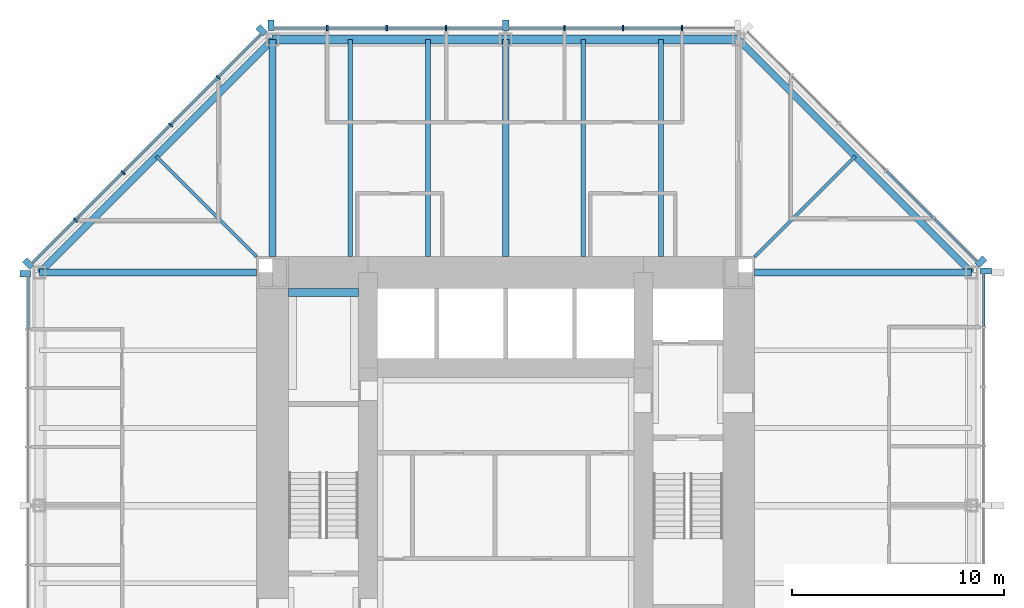
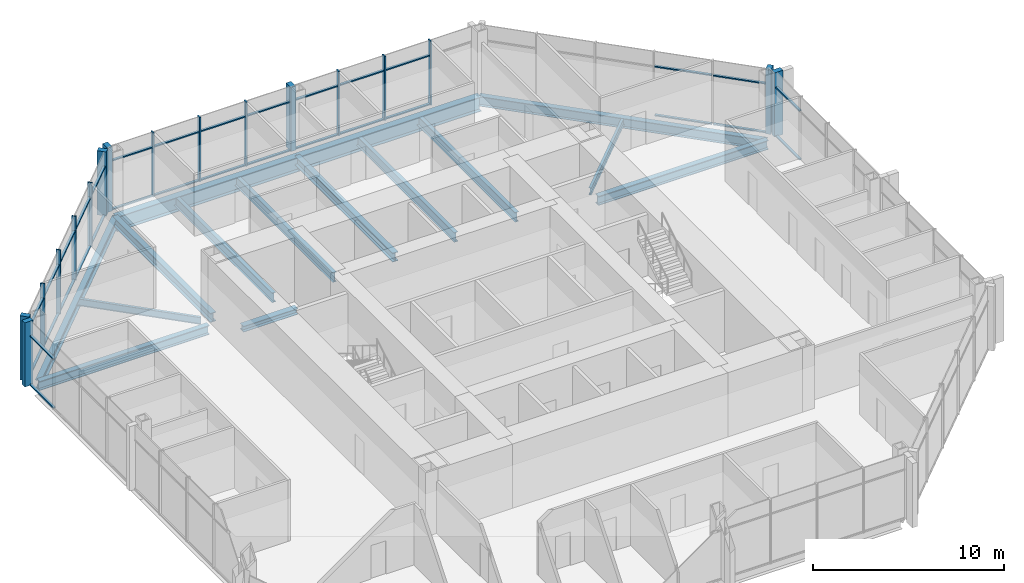
# One storey, part 5 of 12: 49 members, 15 beams, 5 elements without a shape of their own.
"""IFC4 building model written with IfcOpenShell, lengths in metres."""

from ifc_helpers import new_model, si_unit, direction, frame, origin, origin_2d, place, context, subcontext, project, spatial, rectangle, i_section, extrude, material, material_profile, profile_set, type_object, element, aggregate, save


model = new_model("IFC4")

# Units and contexts
model_context = context("Model", 3, precision=1e-05, world=origin(), true_north=direction((0.0, 1.0)))
body_context = subcontext(model_context, "Body", "Model", "MODEL_VIEW")
ifc_project = project(units=[si_unit("LENGTHUNIT", "METRE"), si_unit("AREAUNIT", "SQUARE_METRE"), si_unit("VOLUMEUNIT", "CUBIC_METRE"), si_unit("PLANEANGLEUNIT", "RADIAN"), si_unit("MASSUNIT", "GRAM", prefix="KILO")], contexts=[model_context])

# Site, building, storey
site_placement = place(None, origin())
site = spatial("IfcSite", under=ifc_project, at=site_placement, CompositionType="ELEMENT")
building_placement = place(site_placement, origin())
building = spatial("IfcBuilding", under=site, at=building_placement, Name="Trevanion Tower", CompositionType="ELEMENT")
storey_placement = place(building_placement, frame((0.0, 0.0, 166.39990234375)))
storey = spatial("IfcBuildingStorey", under=building, at=storey_placement, Name="L39", CompositionType="ELEMENT", Elevation=166.39990234375)

# Beams
ifc_material_1 = material(Name="Steel ASTM A992 Grade 50", Category="steel")
ifc_material_profile_1 = material_profile(ifc_material_1, i_section(OverallWidth=0.22900390625, OverallDepth=0.612060546875, WebThickness=0.011962890625, FlangeThickness=0.01953125, at=origin_2d()), Name="W24X84")
ifc_profile_set_1 = profile_set([ifc_material_profile_1], Name="Steel ASTM A992 Grade 50")
beam_type_1 = type_object("IfcBeamType", Name="B7 W24X84", PredefinedType="BEAM", material=ifc_profile_set_1)
for number, where, z_axis, x_axis, name in (
    (1, (7.333251953125, 11.75, -0.49609375), (0.0, 1.0, 0.0), (-1.0, 0.0, 0.0), "B7 L39"),
    (2, (3.666748046875, 11.75, -0.49609375), (0.0, 1.0, 0.0), (-1.0, 0.0, 0.0), "B7 L39"),
    (3, (-3.666748046875, 11.75, -0.49609375), (0.0, 1.0, 0.0), (-1.0, 0.0, 0.0), "B7 L39"),
    (4, (-7.333251953125, 11.75, -0.49609375), (0.0, 1.0, 0.0), (-1.0, 0.0, 0.0), "B7 L39"),
):
    element("IfcBeam", number, at=place(storey_placement, frame(where, z_axis=z_axis, x_axis=x_axis)), inside=storey, type_object=beam_type_1, Name=name, PredefinedType="BEAM", context=body_context, shape_type="SweptSolid", body=[
        extrude(i_section(OverallWidth=0.22900390625, OverallDepth=0.612060546875, WebThickness=0.011962890625, FlangeThickness=0.01953125, at=origin_2d()), origin(), (0.0, 0.0, 1.0), 10.25),
    ])
ifc_material_2 = material(Name="Steel ASTM A992 Grade 50", Category="steel")
ifc_material_profile_2 = material_profile(ifc_material_2, i_section(OverallWidth=0.15234375, OverallDepth=0.449462890625, WebThickness=0.007568359375, FlangeThickness=0.0107421875, at=origin_2d()), Name="W18X35")
ifc_profile_set_2 = profile_set([ifc_material_profile_2], Name="Steel ASTM A992 Grade 50")
beam_type_2 = type_object("IfcBeamType", Name="B8 W18X35", PredefinedType="BEAM", material=ifc_profile_set_2)
for number, where, z_axis, x_axis, name in (
    (5, (11.75, 11.75, -0.414794921875), (0.707106781187, 0.707106781187, 0.0), (-0.707106781187, 0.707106781187, 0.0), "B8 L39"),
    (6, (-11.75, 11.75, -0.414794921875), (-0.707106781187, 0.707106781187, 0.0), (-0.707106781187, -0.707106781187, 0.0), "B8 L39"),
):
    element("IfcBeam", number, at=place(storey_placement, frame(where, z_axis=z_axis, x_axis=x_axis)), inside=storey, type_object=beam_type_2, Name=name, PredefinedType="BEAM", context=body_context, shape_type="SweptSolid", body=[
        extrude(i_section(OverallWidth=0.15234375, OverallDepth=0.449462890625, WebThickness=0.007568359375, FlangeThickness=0.0107421875, at=origin_2d()), origin(), (0.0, 0.0, 1.0), 6.717529296875),
    ])

# Curtain wall, members
ifc_material_3 = material(Name="Aluminium and glass", Category="aluminium")
curtain_wall_type = type_object("IfcCurtainWallType", Name="CW2 curtain wall", PredefinedType="USERDEFINED", material=ifc_material_3)
curtain_wall_1_placement = place(storey_placement, origin())
curtain_wall_1 = element("IfcCurtainWall", 7, at=curtain_wall_1_placement, inside=storey, type_object=curtain_wall_type, Name="CW2 L39 2", ObjectType="UNITISED CURTAIN WALL", PredefinedType="USERDEFINED")
ifc_material_4 = material(Name="Aluminium extrusion, anodised bronze", Category="aluminium")
ifc_material_profile_3 = material_profile(ifc_material_4, rectangle(XDim=0.074951171875, YDim=0.25, at=origin_2d()), Name="CW2 mullion")
ifc_profile_set_3 = profile_set([ifc_material_profile_3], Name="Aluminium extrusion, anodised bronze")
member_type_1 = type_object("IfcMemberType", Name="CW2 mullion", PredefinedType="MULLION", material=ifc_profile_set_3)
member_1_placement = place(storey_placement, frame((8.323486328125, 22.550048828125, -0.18994140625), z_axis=(0.0, 0.0, 1.0), x_axis=(-1.0, 0.0, 0.0)))
member_1 = element("IfcMember", 8, at=member_1_placement, type_object=member_type_1, Name="CW2 mullion 2", PredefinedType="MULLION", context=body_context, shape_type="SweptSolid", body=[
    extrude(rectangle(XDim=0.074951171875, YDim=0.25, at=origin_2d()), origin(), (0.0, 0.0, 1.0), 4.10009765625),
])
member_2_placement = place(storey_placement, frame((5.548828125, 22.550048828125, -0.18994140625), z_axis=(0.0, 0.0, 1.0), x_axis=(-1.0, 0.0, 0.0)))
member_2 = element("IfcMember", 9, at=member_2_placement, type_object=member_type_1, Name="CW2 mullion 3", PredefinedType="MULLION", context=body_context, shape_type="SweptSolid", body=[
    extrude(rectangle(XDim=0.074951171875, YDim=0.25, at=origin_2d()), origin(), (0.0, 0.0, 1.0), 4.10009765625),
])
member_3_placement = place(storey_placement, frame((2.7744140625, 22.550048828125, -0.18994140625), z_axis=(0.0, 0.0, 1.0), x_axis=(-1.0, 0.0, 0.0)))
member_3 = element("IfcMember", 10, at=member_3_placement, type_object=member_type_1, Name="CW2 mullion 4", PredefinedType="MULLION", context=body_context, shape_type="SweptSolid", body=[
    extrude(rectangle(XDim=0.074951171875, YDim=0.25, at=origin_2d()), origin(), (0.0, 0.0, 1.0), 4.10009765625),
])
member_4_placement = place(storey_placement, frame((-2.806884765625, 22.550048828125, -0.18994140625), z_axis=(0.0, 0.0, 1.0), x_axis=(-1.0, 0.0, 0.0)))
member_4 = element("IfcMember", 11, at=member_4_placement, type_object=member_type_1, Name="CW2 mullion 6", PredefinedType="MULLION", context=body_context, shape_type="SweptSolid", body=[
    extrude(rectangle(XDim=0.074951171875, YDim=0.25, at=origin_2d()), origin(), (0.0, 0.0, 1.0), 4.10009765625),
])
member_5_placement = place(storey_placement, frame((-5.614013671875, 22.550048828125, -0.18994140625), z_axis=(0.0, 0.0, 1.0), x_axis=(-1.0, 0.0, 0.0)))
member_5 = element("IfcMember", 12, at=member_5_placement, type_object=member_type_1, Name="CW2 mullion 7", PredefinedType="MULLION", context=body_context, shape_type="SweptSolid", body=[
    extrude(rectangle(XDim=0.074951171875, YDim=0.25, at=origin_2d()), origin(), (0.0, 0.0, 1.0), 4.10009765625),
])
member_6_placement = place(storey_placement, frame((-8.4208984375, 22.550048828125, -0.18994140625), z_axis=(0.0, 0.0, 1.0), x_axis=(-1.0, 0.0, 0.0)))
member_6 = element("IfcMember", 13, at=member_6_placement, type_object=member_type_1, Name="CW2 mullion 8", PredefinedType="MULLION", context=body_context, shape_type="SweptSolid", body=[
    extrude(rectangle(XDim=0.074951171875, YDim=0.25, at=origin_2d()), origin(), (0.0, 0.0, 1.0), 4.10009765625),
])

curtain_wall_2_placement = place(storey_placement, origin())
curtain_wall_2 = element("IfcCurtainWall", 14, at=curtain_wall_2_placement, inside=storey, type_object=curtain_wall_type, Name="CW2 L39 3", ObjectType="UNITISED CURTAIN WALL", PredefinedType="USERDEFINED")
member_7_placement = place(storey_placement, frame((-13.56591796875, 20.2119140625, -0.18994140625), z_axis=(0.0, 0.0, 1.0), x_axis=(-0.707106781187, -0.707106781187, 0.0)))
member_7 = element("IfcMember", 15, at=member_7_placement, type_object=member_type_1, Name="CW2 mullion 2", PredefinedType="MULLION", context=body_context, shape_type="SweptSolid", body=[
    extrude(rectangle(XDim=0.074951171875, YDim=0.25, at=origin_2d()), origin(), (0.0, 0.0, 1.0), 4.10009765625),
])
member_8_placement = place(storey_placement, frame((-15.811767578125, 17.966064453125, -0.18994140625), z_axis=(0.0, 0.0, 1.0), x_axis=(-0.707106781187, -0.707106781187, 0.0)))
member_8 = element("IfcMember", 16, at=member_8_placement, type_object=member_type_1, Name="CW2 mullion 3", PredefinedType="MULLION", context=body_context, shape_type="SweptSolid", body=[
    extrude(rectangle(XDim=0.074951171875, YDim=0.25, at=origin_2d()), origin(), (0.0, 0.0, 1.0), 4.10009765625),
])
member_9_placement = place(storey_placement, frame((-18.057861328125, 15.719970703125, -0.18994140625), z_axis=(0.0, 0.0, 1.0), x_axis=(-0.707106781187, -0.707106781187, 0.0)))
member_9 = element("IfcMember", 17, at=member_9_placement, type_object=member_type_1, Name="CW2 mullion 4", PredefinedType="MULLION", context=body_context, shape_type="SweptSolid", body=[
    extrude(rectangle(XDim=0.074951171875, YDim=0.25, at=origin_2d()), origin(), (0.0, 0.0, 1.0), 4.10009765625),
])
member_10_placement = place(storey_placement, frame((-20.303955078125, 13.473876953125, -0.18994140625), z_axis=(0.0, 0.0, 1.0), x_axis=(-0.707106781187, -0.707106781187, 0.0)))
member_10 = element("IfcMember", 18, at=member_10_placement, type_object=member_type_1, Name="CW2 mullion 5", PredefinedType="MULLION", context=body_context, shape_type="SweptSolid", body=[
    extrude(rectangle(XDim=0.074951171875, YDim=0.25, at=origin_2d()), origin(), (0.0, 0.0, 1.0), 4.10009765625),
])

# Curtain wall, member
curtain_wall_3_placement = place(storey_placement, origin())
curtain_wall_3 = element("IfcCurtainWall", 19, at=curtain_wall_3_placement, inside=storey, type_object=curtain_wall_type, Name="CW2 L39 0", ObjectType="UNITISED CURTAIN WALL", PredefinedType="USERDEFINED")
ifc_material_5 = material(Name="Aluminium extrusion, anodised bronze", Category="aluminium")
ifc_material_profile_4 = material_profile(ifc_material_5, rectangle(XDim=0.300048828125, YDim=0.5, at=origin_2d()), Name="CW2 pier mullion")
ifc_profile_set_4 = profile_set([ifc_material_profile_4], Name="Aluminium extrusion, anodised bronze")
member_type_2 = type_object("IfcMemberType", Name="CW2 pier mullion", PredefinedType="MULLION", material=ifc_profile_set_4)
member_11_placement = place(storey_placement, frame((22.675048828125, 11.077880859375, -0.18994140625), z_axis=(0.0, 0.0, 1.0), x_axis=(0.0, 1.0, 0.0)))
member_11 = element("IfcMember", 20, at=member_11_placement, type_object=member_type_2, Name="CW2 pier mullion 9", PredefinedType="MULLION", context=body_context, shape_type="SweptSolid", body=[
    extrude(rectangle(XDim=0.300048828125, YDim=0.5, at=origin_2d()), origin(), (0.0, 0.0, 1.0), 4.10009765625),
])

curtain_wall_4_placement = place(storey_placement, origin())
curtain_wall_4 = element("IfcCurtainWall", 21, at=curtain_wall_4_placement, inside=storey, type_object=curtain_wall_type, Name="CW2 L39 1", ObjectType="UNITISED CURTAIN WALL", PredefinedType="USERDEFINED")
member_12_placement = place(storey_placement, frame((22.4404296875, 11.51416015625, -0.18994140625), z_axis=(0.0, 0.0, 1.0), x_axis=(-0.707106781187, 0.707106781187, 0.0)))
member_12 = element("IfcMember", 22, at=member_12_placement, type_object=member_type_2, Name="CW2 pier mullion 1", PredefinedType="MULLION", context=body_context, shape_type="SweptSolid", body=[
    extrude(rectangle(XDim=0.300048828125, YDim=0.5, at=origin_2d()), origin(), (0.0, 0.0, 1.0), 4.10009765625),
])

# Member
member_13_placement = place(storey_placement, frame((0.0, 22.675048828125, -0.18994140625), z_axis=(0.0, 0.0, 1.0), x_axis=(-1.0, 0.0, 0.0)))
member_13 = element("IfcMember", 23, at=member_13_placement, type_object=member_type_2, Name="CW2 pier mullion 5", PredefinedType="MULLION", context=body_context, shape_type="SweptSolid", body=[
    extrude(rectangle(XDim=0.300048828125, YDim=0.5, at=origin_2d()), origin(), (0.0, 0.0, 1.0), 4.10009765625),
])

member_14_placement = place(storey_placement, frame((-11.077880859375, 22.675048828125, -0.18994140625), z_axis=(0.0, 0.0, 1.0), x_axis=(-1.0, 0.0, 0.0)))
member_14 = element("IfcMember", 24, at=member_14_placement, type_object=member_type_2, Name="CW2 pier mullion 9", PredefinedType="MULLION", context=body_context, shape_type="SweptSolid", body=[
    extrude(rectangle(XDim=0.300048828125, YDim=0.5, at=origin_2d()), origin(), (0.0, 0.0, 1.0), 4.10009765625),
])

member_15_placement = place(storey_placement, frame((-11.51416015625, 22.4404296875, -0.18994140625), z_axis=(0.0, 0.0, 1.0), x_axis=(-0.707106781187, -0.707106781187, 0.0)))
member_15 = element("IfcMember", 25, at=member_15_placement, type_object=member_type_2, Name="CW2 pier mullion 1", PredefinedType="MULLION", context=body_context, shape_type="SweptSolid", body=[
    extrude(rectangle(XDim=0.300048828125, YDim=0.5, at=origin_2d()), origin(), (0.0, 0.0, 1.0), 4.10009765625),
])

member_16_placement = place(storey_placement, frame((-22.5322265625, 11.42236328125, -0.18994140625), z_axis=(0.0, 0.0, 1.0), x_axis=(-0.707106781187, -0.707106781187, 0.0)))
member_16 = element("IfcMember", 26, at=member_16_placement, type_object=member_type_2, Name="CW2 pier mullion 6", PredefinedType="MULLION", context=body_context, shape_type="SweptSolid", body=[
    extrude(rectangle(XDim=0.300048828125, YDim=0.5, at=origin_2d()), origin(), (0.0, 0.0, 1.0), 4.10009765625),
])

# Curtain wall, member
curtain_wall_5_placement = place(storey_placement, origin())
curtain_wall_5 = element("IfcCurtainWall", 27, at=curtain_wall_5_placement, inside=storey, type_object=curtain_wall_type, Name="CW2 L39 4", ObjectType="UNITISED CURTAIN WALL", PredefinedType="USERDEFINED")
member_17_placement = place(storey_placement, frame((-22.675048828125, 10.94775390625, -0.18994140625), z_axis=(0.0, 0.0, 1.0), x_axis=(0.0, -1.0, 0.0)))
member_17 = element("IfcMember", 28, at=member_17_placement, type_object=member_type_2, Name="CW2 pier mullion 1", PredefinedType="MULLION", context=body_context, shape_type="SweptSolid", body=[
    extrude(rectangle(XDim=0.300048828125, YDim=0.5, at=origin_2d()), origin(), (0.0, 0.0, 1.0), 4.10009765625),
])

# Member
ifc_material_6 = material(Name="Aluminium extrusion, anodised bronze", Category="aluminium")
ifc_material_profile_5 = material_profile(ifc_material_6, rectangle(XDim=0.14990234375, YDim=0.074951171875, at=origin_2d()), Name="CW2 transom")
ifc_profile_set_5 = profile_set([ifc_material_profile_5], Name="Aluminium extrusion, anodised bronze")
member_type_3 = type_object("IfcMemberType", Name="CW2 transom", PredefinedType="USERDEFINED", material=ifc_profile_set_5)
member_18_placement = place(storey_placement, frame((22.550048828125, 8.45849609375, -0.15234375), z_axis=(0.0, 1.0, 0.0), x_axis=(-1.0, 0.0, 0.0)))
member_18 = element("IfcMember", 29, at=member_18_placement, type_object=member_type_3, Name="CW2 transom 8.1", ObjectType="TRANSOM", PredefinedType="USERDEFINED", context=body_context, shape_type="SweptSolid", body=[
    extrude(rectangle(XDim=0.14990234375, YDim=0.074951171875, at=origin_2d()), origin(), (0.0, 0.0, 1.0), 2.46923828125),
])

member_19_placement = place(storey_placement, frame((22.550048828125, 8.45849609375, 2.960205078125), z_axis=(0.0, 1.0, 0.0), x_axis=(-1.0, 0.0, 0.0)))
member_19 = element("IfcMember", 30, at=member_19_placement, type_object=member_type_3, Name="CW2 transom 8.2", ObjectType="TRANSOM", PredefinedType="USERDEFINED", context=body_context, shape_type="SweptSolid", body=[
    extrude(rectangle(XDim=0.14990234375, YDim=0.074951171875, at=origin_2d()), origin(), (0.0, 0.0, 1.0), 2.46923828125),
])

aggregate(curtain_wall_3, [member_11, member_18, member_19])

member_20_placement = place(storey_placement, frame((22.245849609375, 11.531982421875, -0.15234375), z_axis=(-0.707106781187, 0.707106781187, 0.0), x_axis=(-0.707106781187, -0.707106781187, 0.0)))
member_20 = element("IfcMember", 31, at=member_20_placement, type_object=member_type_3, Name="CW2 transom 1.1", ObjectType="TRANSOM", PredefinedType="USERDEFINED", context=body_context, shape_type="SweptSolid", body=[
    extrude(rectangle(XDim=0.14990234375, YDim=0.074951171875, at=origin_2d()), origin(), (0.0, 0.0, 1.0), 2.8388671875),
])

member_21_placement = place(storey_placement, frame((22.245849609375, 11.531982421875, 2.960205078125), z_axis=(-0.707106781187, 0.707106781187, 0.0), x_axis=(-0.707106781187, -0.707106781187, 0.0)))
member_21 = element("IfcMember", 32, at=member_21_placement, type_object=member_type_3, Name="CW2 transom 1.2", ObjectType="TRANSOM", PredefinedType="USERDEFINED", context=body_context, shape_type="SweptSolid", body=[
    extrude(rectangle(XDim=0.14990234375, YDim=0.074951171875, at=origin_2d()), origin(), (0.0, 0.0, 1.0), 2.8388671875),
])

member_22_placement = place(storey_placement, frame((20.185546875, 13.59228515625, -0.15234375), z_axis=(-0.707106781187, 0.707106781187, 0.0), x_axis=(-0.707106781187, -0.707106781187, 0.0)))
member_22 = element("IfcMember", 33, at=member_22_placement, type_object=member_type_3, Name="CW2 transom 2.1", ObjectType="TRANSOM", PredefinedType="USERDEFINED", context=body_context, shape_type="SweptSolid", body=[
    extrude(rectangle(XDim=0.14990234375, YDim=0.074951171875, at=origin_2d()), origin(), (0.0, 0.0, 1.0), 3.1015625),
])

member_23_placement = place(storey_placement, frame((20.185546875, 13.59228515625, 2.960205078125), z_axis=(-0.707106781187, 0.707106781187, 0.0), x_axis=(-0.707106781187, -0.707106781187, 0.0)))
member_23 = element("IfcMember", 34, at=member_23_placement, type_object=member_type_3, Name="CW2 transom 2.2", ObjectType="TRANSOM", PredefinedType="USERDEFINED", context=body_context, shape_type="SweptSolid", body=[
    extrude(rectangle(XDim=0.14990234375, YDim=0.074951171875, at=origin_2d()), origin(), (0.0, 0.0, 1.0), 3.1015625),
])

aggregate(curtain_wall_4, [member_12, member_20, member_21, member_22, member_23])

member_24_placement = place(storey_placement, frame((8.285888671875, 22.550048828125, -0.15234375), z_axis=(-1.0, 0.0, 0.0), x_axis=(0.0, -1.0, 0.0)))
member_24 = element("IfcMember", 35, at=member_24_placement, type_object=member_type_3, Name="CW2 transom 2.1", ObjectType="TRANSOM", PredefinedType="USERDEFINED", context=body_context, shape_type="SweptSolid", body=[
    extrude(rectangle(XDim=0.14990234375, YDim=0.074951171875, at=origin_2d()), origin(), (0.0, 0.0, 1.0), 2.699462890625),
])

member_25_placement = place(storey_placement, frame((8.285888671875, 22.550048828125, 2.960205078125), z_axis=(-1.0, 0.0, 0.0), x_axis=(0.0, -1.0, 0.0)))
member_25 = element("IfcMember", 36, at=member_25_placement, type_object=member_type_3, Name="CW2 transom 2.2", ObjectType="TRANSOM", PredefinedType="USERDEFINED", context=body_context, shape_type="SweptSolid", body=[
    extrude(rectangle(XDim=0.14990234375, YDim=0.074951171875, at=origin_2d()), origin(), (0.0, 0.0, 1.0), 2.699462890625),
])

member_26_placement = place(storey_placement, frame((5.511474609375, 22.550048828125, -0.15234375), z_axis=(-1.0, 0.0, 0.0), x_axis=(0.0, -1.0, 0.0)))
member_26 = element("IfcMember", 37, at=member_26_placement, type_object=member_type_3, Name="CW2 transom 3.1", ObjectType="TRANSOM", PredefinedType="USERDEFINED", context=body_context, shape_type="SweptSolid", body=[
    extrude(rectangle(XDim=0.14990234375, YDim=0.074951171875, at=origin_2d()), origin(), (0.0, 0.0, 1.0), 2.699462890625),
])

member_27_placement = place(storey_placement, frame((5.511474609375, 22.550048828125, 2.960205078125), z_axis=(-1.0, 0.0, 0.0), x_axis=(0.0, -1.0, 0.0)))
member_27 = element("IfcMember", 38, at=member_27_placement, type_object=member_type_3, Name="CW2 transom 3.2", ObjectType="TRANSOM", PredefinedType="USERDEFINED", context=body_context, shape_type="SweptSolid", body=[
    extrude(rectangle(XDim=0.14990234375, YDim=0.074951171875, at=origin_2d()), origin(), (0.0, 0.0, 1.0), 2.699462890625),
])

member_28_placement = place(storey_placement, frame((2.737060546875, 22.550048828125, -0.15234375), z_axis=(-1.0, 0.0, 0.0), x_axis=(0.0, -1.0, 0.0)))
member_28 = element("IfcMember", 39, at=member_28_placement, type_object=member_type_3, Name="CW2 transom 4.1", ObjectType="TRANSOM", PredefinedType="USERDEFINED", context=body_context, shape_type="SweptSolid", body=[
    extrude(rectangle(XDim=0.14990234375, YDim=0.074951171875, at=origin_2d()), origin(), (0.0, 0.0, 1.0), 2.587158203125),
])

member_29_placement = place(storey_placement, frame((2.737060546875, 22.550048828125, 2.960205078125), z_axis=(-1.0, 0.0, 0.0), x_axis=(0.0, -1.0, 0.0)))
member_29 = element("IfcMember", 40, at=member_29_placement, type_object=member_type_3, Name="CW2 transom 4.2", ObjectType="TRANSOM", PredefinedType="USERDEFINED", context=body_context, shape_type="SweptSolid", body=[
    extrude(rectangle(XDim=0.14990234375, YDim=0.074951171875, at=origin_2d()), origin(), (0.0, 0.0, 1.0), 2.587158203125),
])

member_30_placement = place(storey_placement, frame((-0.14990234375, 22.550048828125, -0.15234375), z_axis=(-1.0, 0.0, 0.0), x_axis=(0.0, -1.0, 0.0)))
member_30 = element("IfcMember", 41, at=member_30_placement, type_object=member_type_3, Name="CW2 transom 5.1", ObjectType="TRANSOM", PredefinedType="USERDEFINED", context=body_context, shape_type="SweptSolid", body=[
    extrude(rectangle(XDim=0.14990234375, YDim=0.074951171875, at=origin_2d()), origin(), (0.0, 0.0, 1.0), 2.619384765625),
])

member_31_placement = place(storey_placement, frame((-0.14990234375, 22.550048828125, 2.960205078125), z_axis=(-1.0, 0.0, 0.0), x_axis=(0.0, -1.0, 0.0)))
member_31 = element("IfcMember", 42, at=member_31_placement, type_object=member_type_3, Name="CW2 transom 5.2", ObjectType="TRANSOM", PredefinedType="USERDEFINED", context=body_context, shape_type="SweptSolid", body=[
    extrude(rectangle(XDim=0.14990234375, YDim=0.074951171875, at=origin_2d()), origin(), (0.0, 0.0, 1.0), 2.619384765625),
])

member_32_placement = place(storey_placement, frame((-2.844482421875, 22.550048828125, -0.15234375), z_axis=(-1.0, 0.0, 0.0), x_axis=(0.0, -1.0, 0.0)))
member_32 = element("IfcMember", 43, at=member_32_placement, type_object=member_type_3, Name="CW2 transom 6.1", ObjectType="TRANSOM", PredefinedType="USERDEFINED", context=body_context, shape_type="SweptSolid", body=[
    extrude(rectangle(XDim=0.14990234375, YDim=0.074951171875, at=origin_2d()), origin(), (0.0, 0.0, 1.0), 2.73193359375),
])

member_33_placement = place(storey_placement, frame((-2.844482421875, 22.550048828125, 2.960205078125), z_axis=(-1.0, 0.0, 0.0), x_axis=(0.0, -1.0, 0.0)))
member_33 = element("IfcMember", 44, at=member_33_placement, type_object=member_type_3, Name="CW2 transom 6.2", ObjectType="TRANSOM", PredefinedType="USERDEFINED", context=body_context, shape_type="SweptSolid", body=[
    extrude(rectangle(XDim=0.14990234375, YDim=0.074951171875, at=origin_2d()), origin(), (0.0, 0.0, 1.0), 2.73193359375),
])

member_34_placement = place(storey_placement, frame((-5.6513671875, 22.550048828125, -0.15234375), z_axis=(-1.0, 0.0, 0.0), x_axis=(0.0, -1.0, 0.0)))
member_34 = element("IfcMember", 45, at=member_34_placement, type_object=member_type_3, Name="CW2 transom 7.1", ObjectType="TRANSOM", PredefinedType="USERDEFINED", context=body_context, shape_type="SweptSolid", body=[
    extrude(rectangle(XDim=0.14990234375, YDim=0.074951171875, at=origin_2d()), origin(), (0.0, 0.0, 1.0), 2.73193359375),
])

member_35_placement = place(storey_placement, frame((-5.6513671875, 22.550048828125, 2.960205078125), z_axis=(-1.0, 0.0, 0.0), x_axis=(0.0, -1.0, 0.0)))
member_35 = element("IfcMember", 46, at=member_35_placement, type_object=member_type_3, Name="CW2 transom 7.2", ObjectType="TRANSOM", PredefinedType="USERDEFINED", context=body_context, shape_type="SweptSolid", body=[
    extrude(rectangle(XDim=0.14990234375, YDim=0.074951171875, at=origin_2d()), origin(), (0.0, 0.0, 1.0), 2.73193359375),
])

member_36_placement = place(storey_placement, frame((-8.45849609375, 22.550048828125, -0.15234375), z_axis=(-1.0, 0.0, 0.0), x_axis=(0.0, -1.0, 0.0)))
member_36 = element("IfcMember", 47, at=member_36_placement, type_object=member_type_3, Name="CW2 transom 8.1", ObjectType="TRANSOM", PredefinedType="USERDEFINED", context=body_context, shape_type="SweptSolid", body=[
    extrude(rectangle(XDim=0.14990234375, YDim=0.074951171875, at=origin_2d()), origin(), (0.0, 0.0, 1.0), 2.46923828125),
])

member_37_placement = place(storey_placement, frame((-8.45849609375, 22.550048828125, 2.960205078125), z_axis=(-1.0, 0.0, 0.0), x_axis=(0.0, -1.0, 0.0)))
member_37 = element("IfcMember", 48, at=member_37_placement, type_object=member_type_3, Name="CW2 transom 8.2", ObjectType="TRANSOM", PredefinedType="USERDEFINED", context=body_context, shape_type="SweptSolid", body=[
    extrude(rectangle(XDim=0.14990234375, YDim=0.074951171875, at=origin_2d()), origin(), (0.0, 0.0, 1.0), 2.46923828125),
])

aggregate(curtain_wall_1, [member_1, member_2, member_3, member_13, member_4, member_5, member_6, member_14, member_24, member_25, member_26, member_27, member_28, member_29, member_30, member_31, member_32, member_33, member_34, member_35, member_36, member_37])

member_38_placement = place(storey_placement, frame((-11.531982421875, 22.245849609375, -0.15234375), z_axis=(-0.707106781187, -0.707106781187, 0.0), x_axis=(0.707106781187, -0.707106781187, 0.0)))
member_38 = element("IfcMember", 49, at=member_38_placement, type_object=member_type_3, Name="CW2 transom 1.1", ObjectType="TRANSOM", PredefinedType="USERDEFINED", context=body_context, shape_type="SweptSolid", body=[
    extrude(rectangle(XDim=0.14990234375, YDim=0.074951171875, at=origin_2d()), origin(), (0.0, 0.0, 1.0), 2.8388671875),
])

member_39_placement = place(storey_placement, frame((-11.531982421875, 22.245849609375, 2.960205078125), z_axis=(-0.707106781187, -0.707106781187, 0.0), x_axis=(0.707106781187, -0.707106781187, 0.0)))
member_39 = element("IfcMember", 50, at=member_39_placement, type_object=member_type_3, Name="CW2 transom 1.2", ObjectType="TRANSOM", PredefinedType="USERDEFINED", context=body_context, shape_type="SweptSolid", body=[
    extrude(rectangle(XDim=0.14990234375, YDim=0.074951171875, at=origin_2d()), origin(), (0.0, 0.0, 1.0), 2.8388671875),
])

member_40_placement = place(storey_placement, frame((-13.59228515625, 20.185546875, -0.15234375), z_axis=(-0.707106781187, -0.707106781187, 0.0), x_axis=(0.707106781187, -0.707106781187, 0.0)))
member_40 = element("IfcMember", 51, at=member_40_placement, type_object=member_type_3, Name="CW2 transom 2.1", ObjectType="TRANSOM", PredefinedType="USERDEFINED", context=body_context, shape_type="SweptSolid", body=[
    extrude(rectangle(XDim=0.14990234375, YDim=0.074951171875, at=origin_2d()), origin(), (0.0, 0.0, 1.0), 3.1015625),
])

member_41_placement = place(storey_placement, frame((-13.59228515625, 20.185546875, 2.960205078125), z_axis=(-0.707106781187, -0.707106781187, 0.0), x_axis=(0.707106781187, -0.707106781187, 0.0)))
member_41 = element("IfcMember", 52, at=member_41_placement, type_object=member_type_3, Name="CW2 transom 2.2", ObjectType="TRANSOM", PredefinedType="USERDEFINED", context=body_context, shape_type="SweptSolid", body=[
    extrude(rectangle(XDim=0.14990234375, YDim=0.074951171875, at=origin_2d()), origin(), (0.0, 0.0, 1.0), 3.1015625),
])

member_42_placement = place(storey_placement, frame((-15.83837890625, 17.939453125, -0.15234375), z_axis=(-0.707106781187, -0.707106781187, 0.0), x_axis=(0.707106781187, -0.707106781187, 0.0)))
member_42 = element("IfcMember", 53, at=member_42_placement, type_object=member_type_3, Name="CW2 transom 3.1", ObjectType="TRANSOM", PredefinedType="USERDEFINED", context=body_context, shape_type="SweptSolid", body=[
    extrude(rectangle(XDim=0.14990234375, YDim=0.074951171875, at=origin_2d()), origin(), (0.0, 0.0, 1.0), 3.1015625),
])

member_43_placement = place(storey_placement, frame((-15.83837890625, 17.939453125, 2.960205078125), z_axis=(-0.707106781187, -0.707106781187, 0.0), x_axis=(0.707106781187, -0.707106781187, 0.0)))
member_43 = element("IfcMember", 54, at=member_43_placement, type_object=member_type_3, Name="CW2 transom 3.2", ObjectType="TRANSOM", PredefinedType="USERDEFINED", context=body_context, shape_type="SweptSolid", body=[
    extrude(rectangle(XDim=0.14990234375, YDim=0.074951171875, at=origin_2d()), origin(), (0.0, 0.0, 1.0), 3.1015625),
])

member_44_placement = place(storey_placement, frame((-18.08447265625, 15.693359375, -0.15234375), z_axis=(-0.707106781187, -0.707106781187, 0.0), x_axis=(0.707106781187, -0.707106781187, 0.0)))
member_44 = element("IfcMember", 55, at=member_44_placement, type_object=member_type_3, Name="CW2 transom 4.1", ObjectType="TRANSOM", PredefinedType="USERDEFINED", context=body_context, shape_type="SweptSolid", body=[
    extrude(rectangle(XDim=0.14990234375, YDim=0.074951171875, at=origin_2d()), origin(), (0.0, 0.0, 1.0), 3.10107421875),
])

member_45_placement = place(storey_placement, frame((-18.08447265625, 15.693359375, 2.960205078125), z_axis=(-0.707106781187, -0.707106781187, 0.0), x_axis=(0.707106781187, -0.707106781187, 0.0)))
member_45 = element("IfcMember", 56, at=member_45_placement, type_object=member_type_3, Name="CW2 transom 4.2", ObjectType="TRANSOM", PredefinedType="USERDEFINED", context=body_context, shape_type="SweptSolid", body=[
    extrude(rectangle(XDim=0.14990234375, YDim=0.074951171875, at=origin_2d()), origin(), (0.0, 0.0, 1.0), 3.10107421875),
])

member_46_placement = place(storey_placement, frame((-20.33056640625, 13.447509765625, -0.15234375), z_axis=(-0.707063781595, -0.707149778163, 0.0), x_axis=(0.707149778163, -0.707063781595, 0.0)))
member_46 = element("IfcMember", 57, at=member_46_placement, type_object=member_type_3, Name="CW2 transom 5.1", ObjectType="TRANSOM", PredefinedType="USERDEFINED", context=body_context, shape_type="SweptSolid", body=[
    extrude(rectangle(XDim=0.14990234375, YDim=0.074951171875, at=origin_2d()), origin(), (0.0, 0.0, 1.0), 2.8388671875),
])

member_47_placement = place(storey_placement, frame((-20.33056640625, 13.447509765625, 2.960205078125), z_axis=(-0.707063781595, -0.707149778163, 0.0), x_axis=(0.707149778163, -0.707063781595, 0.0)))
member_47 = element("IfcMember", 58, at=member_47_placement, type_object=member_type_3, Name="CW2 transom 5.2", ObjectType="TRANSOM", PredefinedType="USERDEFINED", context=body_context, shape_type="SweptSolid", body=[
    extrude(rectangle(XDim=0.14990234375, YDim=0.074951171875, at=origin_2d()), origin(), (0.0, 0.0, 1.0), 2.8388671875),
])

aggregate(curtain_wall_2, [member_15, member_7, member_8, member_9, member_10, member_16, member_38, member_39, member_40, member_41, member_42, member_43, member_44, member_45, member_46, member_47])

member_48_placement = place(storey_placement, frame((-22.550048828125, 10.7978515625, -0.15234375), z_axis=(0.0, -1.0, 0.0), x_axis=(1.0, 0.0, 0.0)))
member_48 = element("IfcMember", 59, at=member_48_placement, type_object=member_type_3, Name="CW2 transom 1.1", ObjectType="TRANSOM", PredefinedType="USERDEFINED", context=body_context, shape_type="SweptSolid", body=[
    extrude(rectangle(XDim=0.14990234375, YDim=0.074951171875, at=origin_2d()), origin(), (0.0, 0.0, 1.0), 2.43701171875),
])

member_49_placement = place(storey_placement, frame((-22.550048828125, 10.7978515625, 2.960205078125), z_axis=(0.0, -1.0, 0.0), x_axis=(1.0, 0.0, 0.0)))
member_49 = element("IfcMember", 60, at=member_49_placement, type_object=member_type_3, Name="CW2 transom 1.2", ObjectType="TRANSOM", PredefinedType="USERDEFINED", context=body_context, shape_type="SweptSolid", body=[
    extrude(rectangle(XDim=0.14990234375, YDim=0.074951171875, at=origin_2d()), origin(), (0.0, 0.0, 1.0), 2.43701171875),
])

aggregate(curtain_wall_5, [member_17, member_48, member_49])

# Beams
ifc_material_7 = material(Name="Steel ASTM A992 Grade 50", Category="steel")
ifc_material_profile_6 = material_profile(ifc_material_7, i_section(OverallWidth=0.320068359375, OverallDepth=0.584228515625, WebThickness=0.023193359375, FlangeThickness=0.04150390625, at=origin_2d()), Name="W21X201")
ifc_profile_set_6 = profile_set([ifc_material_profile_6], Name="Steel ASTM A992 Grade 50")
beam_type_3 = type_object("IfcBeamType", Name="G4 W21X201", PredefinedType="BEAM", material=ifc_profile_set_6)
for number, where, z_axis, x_axis, name in (
    (61, (11.75, 11.0, -0.48193359375), (1.0, 0.0, 0.0), (0.0, 1.0, 0.0), "G4 L39"),
    (62, (0.0, 11.75, -0.48193359375), (0.0, 1.0, 0.0), (-1.0, 0.0, 0.0), "G4 L39"),
    (63, (-11.0, 11.75, -0.48193359375), (0.0, 1.0, 0.0), (-1.0, 0.0, 0.0), "G4 L39"),
    (64, (-11.75, 11.0, -0.48193359375), (-1.0, 0.0, 0.0), (0.0, -1.0, 0.0), "G4 L39"),
):
    element("IfcBeam", number, at=place(storey_placement, frame(where, z_axis=z_axis, x_axis=x_axis)), inside=storey, type_object=beam_type_3, Name=name, PredefinedType="BEAM", context=body_context, shape_type="SweptSolid", body=[
        extrude(i_section(OverallWidth=0.320068359375, OverallDepth=0.584228515625, WebThickness=0.023193359375, FlangeThickness=0.04150390625, at=origin_2d()), origin(), (0.0, 0.0, 1.0), 10.25),
    ])
ifc_material_8 = material(Name="Steel ASTM A992 Grade 50", Category="steel")
ifc_material_profile_7 = material_profile(ifc_material_8, i_section(OverallWidth=0.373291015625, OverallDepth=0.373291015625, WebThickness=0.016357421875, FlangeThickness=0.026123046875, at=origin_2d()), Name="W14X132")
ifc_profile_set_7 = profile_set([ifc_material_profile_7], Name="Steel ASTM A992 Grade 50")
beam_type_4 = type_object("IfcBeamType", Name="LB2 W14X132", PredefinedType="BEAM", material=ifc_profile_set_7)
beam_placement = place(storey_placement, frame((-10.25, 10.063232421875, -0.38671875), z_axis=(1.0, 0.0, 0.0), x_axis=(0.0, 1.0, 0.0)))
element("IfcBeam", 65, at=beam_placement, inside=storey, type_object=beam_type_4, Name="LB2 L39", PredefinedType="BEAM", context=body_context, shape_type="SweptSolid", body=[
    extrude(i_section(OverallWidth=0.373291015625, OverallDepth=0.373291015625, WebThickness=0.016357421875, FlangeThickness=0.026123046875, at=origin_2d()), origin(), (0.0, 0.0, 1.0), 3.300048828125),
])
ifc_material_9 = material(Name="Steel ASTM A992 Grade 50", Category="steel")
ifc_material_profile_8 = material_profile(ifc_material_9, i_section(OverallWidth=0.419189453125, OverallDepth=0.927001953125, WebThickness=0.019287109375, FlangeThickness=0.031982421875, at=origin_2d()), Name="W36X231")
ifc_profile_set_8 = profile_set([ifc_material_profile_8], Name="Steel ASTM A992 Grade 50")
beam_type_5 = type_object("IfcBeamType", Name="SB4 W36X231", PredefinedType="SPANDREL", material=ifc_profile_set_8)
for number, where, z_axis, x_axis, name in (
    (66, (11.0, 22.0, -0.6533203125), (-1.0, 0.0, 0.0), (0.0, -1.0, 0.0), "SB4 L39"),
    (67, (0.0, 22.0, -0.6533203125), (-1.0, 0.0, 0.0), (0.0, -1.0, 0.0), "SB4 L39"),
):
    element("IfcBeam", number, at=place(storey_placement, frame(where, z_axis=z_axis, x_axis=x_axis)), inside=storey, type_object=beam_type_5, Name=name, PredefinedType="SPANDREL", context=body_context, shape_type="SweptSolid", body=[
        extrude(i_section(OverallWidth=0.419189453125, OverallDepth=0.927001953125, WebThickness=0.019287109375, FlangeThickness=0.031982421875, at=origin_2d()), origin(), (0.0, 0.0, 1.0), 11.0),
    ])
ifc_material_10 = material(Name="Steel ASTM A992 Grade 50", Category="steel")
ifc_material_profile_9 = material_profile(ifc_material_10, i_section(OverallWidth=0.32763671875, OverallDepth=0.62744140625, WebThickness=0.0166015625, FlangeThickness=0.027587890625, at=origin_2d()), Name="W24X146")
ifc_profile_set_9 = profile_set([ifc_material_profile_9], Name="Steel ASTM A992 Grade 50")
beam_type_6 = type_object("IfcBeamType", Name="SB5 W24X146", PredefinedType="SPANDREL", material=ifc_profile_set_9)
for number, where, z_axis, x_axis, name in (
    (68, (22.0, 11.0, -0.503662109375), (-0.707106781187, 0.707106781187, 0.0), (-0.707106781187, -0.707106781187, 0.0), "SB5 L39"),
    (69, (-11.0, 22.0, -0.503662109375), (-0.707106781187, -0.707106781187, 0.0), (0.707106781187, -0.707106781187, 0.0), "SB5 L39"),
):
    element("IfcBeam", number, at=place(storey_placement, frame(where, z_axis=z_axis, x_axis=x_axis)), inside=storey, type_object=beam_type_6, Name=name, PredefinedType="SPANDREL", context=body_context, shape_type="SweptSolid", body=[
        extrude(i_section(OverallWidth=0.32763671875, OverallDepth=0.62744140625, WebThickness=0.0166015625, FlangeThickness=0.027587890625, at=origin_2d()), origin(), (0.0, 0.0, 1.0), 15.556396484375),
    ])

save(model, "model.ifc")
